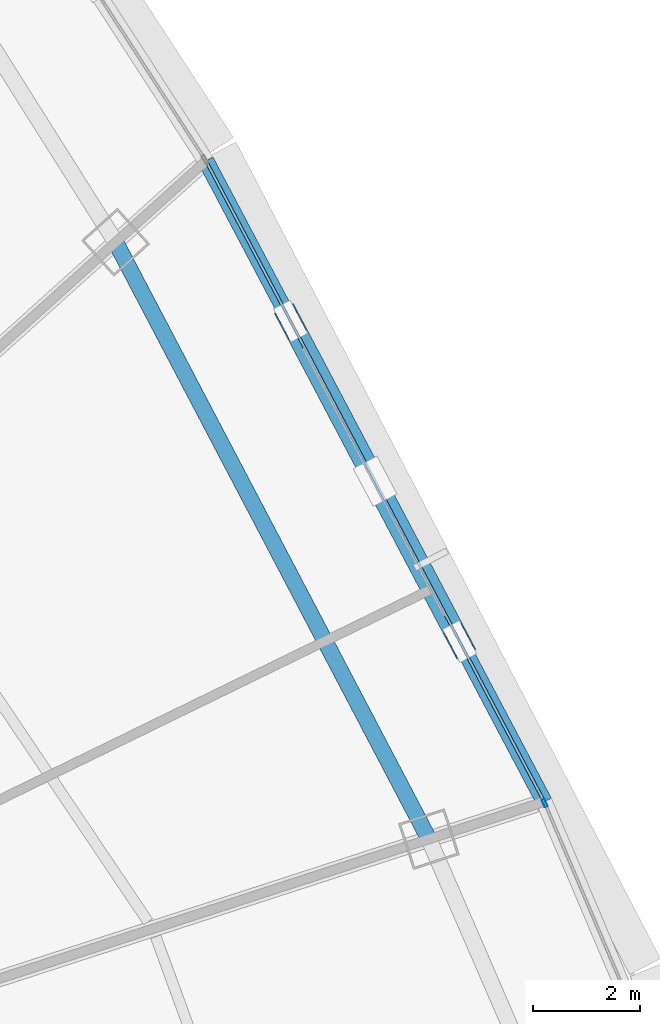
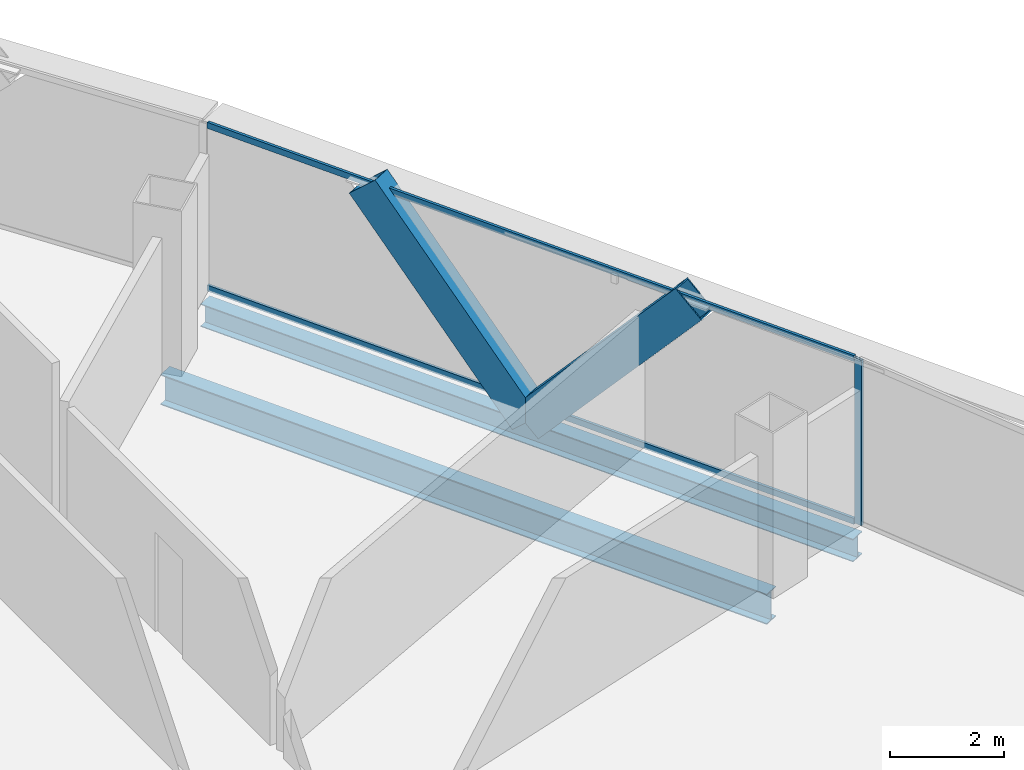
# One storey, part 26 of 40: 5 members, 2 beams, 2 elements without a shape of their own.
"""IFC4 building model written with IfcOpenShell, lengths in metres."""

from ifc_helpers import new_model, si_unit, direction, frame, origin, origin_2d, place, context, subcontext, project, spatial, hollow_rectangle, i_section, extrude, source, transform, mapped, material, layer, layer_set, material_profile, profile_set, type_object, element, aggregate, save


model = new_model("IFC4")

# Units and contexts
model_context = context("Model", 3, precision=1e-05, world=origin(), true_north=direction((0.0, 1.0)))
body_context = subcontext(model_context, "Body", "Model", "MODEL_VIEW")
ifc_project = project(units=[si_unit("LENGTHUNIT", "METRE"), si_unit("AREAUNIT", "SQUARE_METRE"), si_unit("VOLUMEUNIT", "CUBIC_METRE"), si_unit("PLANEANGLEUNIT", "RADIAN"), si_unit("MASSUNIT", "GRAM", prefix="KILO"), si_unit("THERMODYNAMICTEMPERATUREUNIT", "KELVIN"), si_unit("POWERUNIT", "WATT")], contexts=[model_context])

# Site, building, storey
site_placement = place(None, origin())
site = spatial("IfcSite", under=ifc_project, at=site_placement, CompositionType="ELEMENT")
building_placement = place(site_placement, origin())
building = spatial("IfcBuilding", under=site, at=building_placement, Name="Yunzhuo Pagoda Commons", CompositionType="ELEMENT")
storey_placement = place(building_placement, frame((0.0, 0.0, 184.760009765625)))
storey = spatial("IfcBuildingStorey", under=building, at=storey_placement, Name="L46", CompositionType="ELEMENT", Elevation=184.760009765625)

# Beams
ifc_material_1 = material(Name="Structural steel Q355B", Category="steel")
ifc_material_profile_1 = material_profile(ifc_material_1, i_section(OverallWidth=0.300048828125, OverallDepth=0.488037109375, WebThickness=0.010986328125, FlangeThickness=0.01806640625, at=origin_2d()), Name="Structural steel Q355B")
ifc_profile_set_1 = profile_set([ifc_material_profile_1], Name="Structural steel Q355B")
beam_type_1 = type_object("IfcBeamType", Name="B-SP1 Beam HM 488x300x11x18", PredefinedType="BEAM", material=ifc_profile_set_1)
shared_shape_1 = source(origin(), body_context, "Body", "SweptSolid", [
    extrude(i_section(OverallWidth=0.300048828125, OverallDepth=0.488037109375, WebThickness=0.010986328125, FlangeThickness=0.01806640625, at=origin_2d()), origin(), (0.0, 0.0, 1.0), 13.517578125),
])
beam_1_placement = place(storey_placement, frame((78.645263671875, 43.6572265625, -0.503662109375), z_axis=(-0.466784517215, 0.884371084154, 0.0), x_axis=(-0.884371084154, -0.466784517215, 0.0)))
element("IfcBeam", 1, at=beam_1_placement, inside=storey, type_object=beam_type_1, Name="L46 facade edge spandrel beam F2.2", PredefinedType="BEAM", context=body_context, shape_type="MappedRepresentation", body=[
    mapped(shared_shape_1, transform((0.0, 0.0, 0.0), scale=1.0)),
])
ifc_material_profile_2 = material_profile(ifc_material_1, i_section(OverallWidth=0.300048828125, OverallDepth=0.64990234375, WebThickness=0.012939453125, FlangeThickness=0.02197265625, at=origin_2d()), Name="Structural steel Q355B")
ifc_profile_set_2 = profile_set([ifc_material_profile_2], Name="Structural steel Q355B")
beam_type_2 = type_object("IfcBeamType", Name="B-RG2 Beam HN 650x300x13x22", PredefinedType="BEAM", material=ifc_profile_set_2)
shared_shape_2 = source(origin(), body_context, "Body", "SweptSolid", [
    extrude(i_section(OverallWidth=0.300048828125, OverallDepth=0.64990234375, WebThickness=0.012939453125, FlangeThickness=0.02197265625, at=origin_2d()), origin(), (0.0, 0.0, 1.0), 12.576416015625),
])
beam_2_placement = place(storey_placement, frame((76.49462890625, 42.95849609375, -0.5849609375), z_axis=(-0.464676385233, 0.885480579689, 0.0), x_axis=(-0.885480579689, -0.464676385233, 0.0)))
element("IfcBeam", 2, at=beam_2_placement, inside=storey, type_object=beam_type_2, Name="L46 column-ring beam 6", PredefinedType="BEAM", context=body_context, shape_type="MappedRepresentation", body=[
    mapped(shared_shape_2, transform((0.0, 0.0, 0.0), scale=1.0)),
])

# Members
ifc_material_profile_3 = material_profile(ifc_material_1, hollow_rectangle(XDim=0.39990234375, YDim=0.719970703125, WallThickness=0.02392578125, at=origin_2d()), Name="Structural steel Q355B")
ifc_profile_set_3 = profile_set([ifc_material_profile_3], Name="Structural steel Q355B")
member_type_1 = type_object("IfcMemberType", Name="M-DL2 Brace BOX 720x400x24", PredefinedType="BRACE", material=ifc_profile_set_3)
shared_shape_3 = source(origin(), body_context, "Body", "SweptSolid", [
    extrude(hollow_rectangle(XDim=0.39990234375, YDim=0.719970703125, WallThickness=0.02392578125, at=origin_2d()), origin(), (0.0, 0.0, 1.0), 5.08544921875),
])
member_1_placement = place(storey_placement, frame((75.490234375, 49.634765625, -0.260009765625), z_axis=(0.310171947084, -0.587747275677, 0.747225871592), x_axis=(0.884402146748, 0.466725661205, 0.0)))
element("IfcMember", 3, at=member_1_placement, inside=storey, type_object=member_type_1, Name="L46 facade diamond brace F2.2L", PredefinedType="BRACE", context=body_context, shape_type="MappedRepresentation", body=[
    mapped(shared_shape_3, transform((0.0, 0.0, 0.0), scale=1.0)),
])
shared_shape_4 = source(origin(), body_context, "Body", "SweptSolid", [
    extrude(hollow_rectangle(XDim=0.39990234375, YDim=0.719970703125, WallThickness=0.02392578125, at=origin_2d()), origin(), (0.0, 0.0, 1.0), 5.085205078125),
])
member_2_placement = place(storey_placement, frame((75.490234375, 49.634765625, -0.260009765625), z_axis=(-0.310198202512, 0.587652994698, 0.747289122751), x_axis=(-0.884354926157, -0.466815128913, 0.0)))
element("IfcMember", 4, at=member_2_placement, inside=storey, type_object=member_type_1, Name="L46 facade diamond brace F2.2R", PredefinedType="BRACE", context=body_context, shape_type="MappedRepresentation", body=[
    mapped(shared_shape_4, transform((0.0, 0.0, 0.0), scale=1.0)),
])

# Curtain wall, member
ifc_material_2 = material(Name="Anodized aluminium 6063-T6", Category="aluminium")
ifc_layer = layer(ifc_material_2, 0.14990234375)
ifc_layer_set = layer_set([ifc_layer], Name="Anodized aluminium 6063-T6")
curtain_wall_type = type_object("IfcCurtainWallType", Name="CW-MID Mid-Zone Ribbon Curtain Wall", PredefinedType="NOTDEFINED", material=ifc_layer_set)
curtain_wall_1_placement = place(storey_placement, origin())
curtain_wall_1 = element("IfcCurtainWall", 5, at=curtain_wall_1_placement, inside=storey, type_object=curtain_wall_type, Name="L46 curtain wall CW-L46-F2B2", PredefinedType="NOTDEFINED")
ifc_material_profile_4 = material_profile(ifc_material_2, hollow_rectangle(XDim=0.06005859375, YDim=0.14990234375, WallThickness=0.00390625, at=origin_2d()), Name="Anodized aluminium 6063-T6")
ifc_profile_set_4 = profile_set([ifc_material_profile_4], Name="Anodized aluminium 6063-T6")
member_type_2 = type_object("IfcMemberType", Name="CW-MID-M Mullion RHS 150x60x4", PredefinedType="MULLION", material=ifc_profile_set_4)
shared_shape_5 = source(origin(), body_context, "Body", "SweptSolid", [
    extrude(hollow_rectangle(XDim=0.06005859375, YDim=0.14990234375, WallThickness=0.00390625, at=origin_2d()), origin(), (0.0, 0.0, 1.0), 3.5400390625),
])
member_3_placement = place(storey_placement, frame((78.65673828125, 43.629638671875, 0.0), z_axis=(0.0, 0.0, 1.0), x_axis=(-0.920515325194, -0.390706457693, 0.0)))
member_3 = element("IfcMember", 6, at=member_3_placement, type_object=member_type_2, Name="CW mullion 2", PredefinedType="MULLION", context=body_context, shape_type="MappedRepresentation", body=[
    mapped(shared_shape_5, transform((0.0, 0.0, 0.0), scale=1.0)),
])
aggregate(curtain_wall_1, [member_3])

# Curtain wall, members
curtain_wall_2_placement = place(storey_placement, origin())
curtain_wall_2 = element("IfcCurtainWall", 7, at=curtain_wall_2_placement, inside=storey, type_object=curtain_wall_type, Name="L46 curtain wall CW-L46-F2B3", PredefinedType="NOTDEFINED")
ifc_material_profile_5 = material_profile(ifc_material_2, hollow_rectangle(XDim=0.054931640625, YDim=0.1298828125, WallThickness=0.00341796875, at=origin_2d()), Name="Anodized aluminium 6063-T6")
ifc_profile_set_5 = profile_set([ifc_material_profile_5], Name="Anodized aluminium 6063-T6")
member_type_3 = type_object("IfcMemberType", Name="CW-MID-T Transom RHS 130x55x3.5", PredefinedType="USERDEFINED", material=ifc_profile_set_5)
shared_shape_6 = source(origin(), body_context, "Body", "SweptSolid", [
    extrude(hollow_rectangle(XDim=0.054931640625, YDim=0.1298828125, WallThickness=0.00341796875, at=origin_2d()), origin(), (0.0, 0.0, 1.0), 13.397705078125),
])
member_4_placement = place(storey_placement, frame((78.617431640625, 43.710205078125, 0.027587890625), z_axis=(-0.466793063104, 0.884366573451, 0.0), x_axis=(-0.884366573451, -0.466793063104, 0.0)))
member_4 = element("IfcMember", 8, at=member_4_placement, type_object=member_type_3, Name="CW transom 1.1", ObjectType="TRANSOM", PredefinedType="USERDEFINED", context=body_context, shape_type="MappedRepresentation", body=[
    mapped(shared_shape_6, transform((0.0, 0.0, 0.0), scale=1.0)),
])
member_5_placement = place(storey_placement, frame((78.617431640625, 43.710205078125, 3.512451171875), z_axis=(-0.466793063104, 0.884366573451, 0.0), x_axis=(-0.884366573451, -0.466793063104, 0.0)))
member_5 = element("IfcMember", 9, at=member_5_placement, type_object=member_type_3, Name="CW transom 1.2", ObjectType="TRANSOM", PredefinedType="USERDEFINED", context=body_context, shape_type="MappedRepresentation", body=[
    mapped(shared_shape_6, transform((0.0, 0.0, 0.0), scale=1.0)),
])
aggregate(curtain_wall_2, [member_4, member_5])

save(model, "model.ifc")
